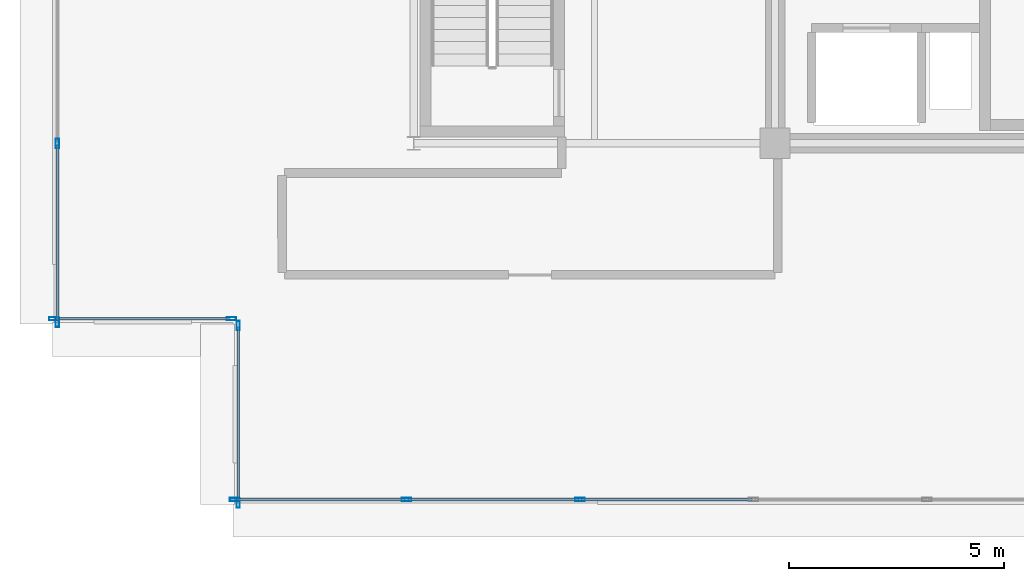
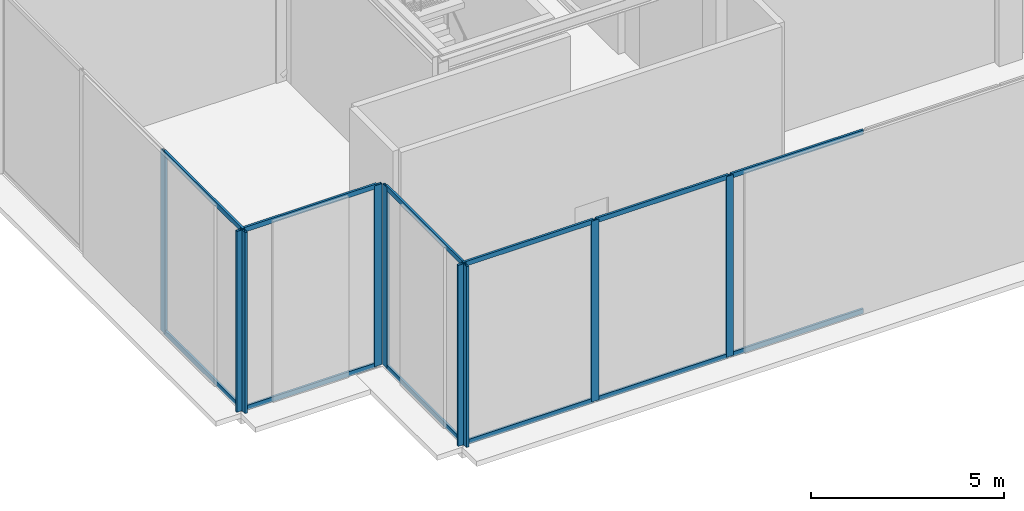
# One storey, part 2 of 19: 21 members, 4 elements without a shape of their own.
"""IFC4 building model written with IfcOpenShell, lengths in metres."""

from ifc_helpers import new_model, si_unit, direction, frame, origin, origin_2d, place, context, subcontext, project, spatial, hollow_rectangle, extrude, material, layer, layer_set, material_profile, profile_set, type_object, element, aggregate, save


model = new_model("IFC4")

# Units and contexts
model_context = context("Model", 3, precision=1e-05, world=origin(), true_north=direction((0.0, 1.0)))
body_context = subcontext(model_context, "Body", "Model", "MODEL_VIEW")
ifc_project = project(units=[si_unit("LENGTHUNIT", "METRE"), si_unit("AREAUNIT", "SQUARE_METRE"), si_unit("VOLUMEUNIT", "CUBIC_METRE"), si_unit("PLANEANGLEUNIT", "RADIAN"), si_unit("MASSUNIT", "GRAM", prefix="KILO")], contexts=[model_context])

# Site, building, storey
site_placement = place(None, origin())
site = spatial("IfcSite", under=ifc_project, at=site_placement, CompositionType="ELEMENT")
building_placement = place(site_placement, origin())
building = spatial("IfcBuilding", under=site, at=building_placement, Name="Nerrivon Quay Data Exchange", CompositionType="ELEMENT")
storey_placement = place(building_placement, frame((0.0, 0.0, 327.0)))
storey = spatial("IfcBuildingStorey", under=building, at=storey_placement, Name="L78", CompositionType="ELEMENT", Elevation=327.0)

# Curtain wall, members
ifc_material = material(Name="Anodised aluminium 6063-T6", Category="aluminium")
ifc_layer = layer(ifc_material, 0.22998046875)
ifc_layer_set = layer_set([ifc_layer], Name="Anodised aluminium 6063-T6")
curtain_wall_type = type_object("IfcCurtainWallType", Name="CW-SYS-05", PredefinedType="NOTDEFINED", material=ifc_layer_set)
curtain_wall_1_placement = place(storey_placement, origin())
curtain_wall_1 = element("IfcCurtainWall", 1, at=curtain_wall_1_placement, inside=storey, type_object=curtain_wall_type, Name="L78 Crown Curtain Wall 5", PredefinedType="NOTDEFINED")
ifc_material_profile_1 = material_profile(ifc_material, hollow_rectangle(XDim=0.074951171875, YDim=0.219970703125, WallThickness=0.00390625, at=origin_2d()), Name="ALU-MULL-220x75")
ifc_profile_set_1 = profile_set([ifc_material_profile_1], Name="Anodised aluminium 6063-T6")
member_type_1 = type_object("IfcMemberType", Name="CWM-220x75", PredefinedType="MULLION", material=ifc_profile_set_1)
member_1_placement = place(storey_placement, frame((12.2666015625, 0.1201171875, 0.0), z_axis=(0.0, 0.0, 1.0), x_axis=(0.0, -1.0, 0.0)))
member_1 = element("IfcMember", 2, at=member_1_placement, type_object=member_type_1, Name="CW05 mullion 5", PredefinedType="MULLION", context=body_context, shape_type="SweptSolid", body=[
    extrude(hollow_rectangle(XDim=0.074951171875, YDim=0.219970703125, WallThickness=0.00390625, at=origin_2d()), origin(), (0.0, 0.0, 1.0), 5.72509765625),
])
member_2_placement = place(storey_placement, frame((8.2333984375, 0.1201171875, 0.0), z_axis=(0.0, 0.0, 1.0), x_axis=(0.0, -1.0, 0.0)))
member_2 = element("IfcMember", 3, at=member_2_placement, type_object=member_type_1, Name="CW05 mullion 6", PredefinedType="MULLION", context=body_context, shape_type="SweptSolid", body=[
    extrude(hollow_rectangle(XDim=0.074951171875, YDim=0.219970703125, WallThickness=0.00390625, at=origin_2d()), origin(), (0.0, 0.0, 1.0), 5.72509765625),
])
member_3_placement = place(storey_placement, frame((4.237548828125, 0.1201171875, 0.0), z_axis=(0.0, 0.0, 1.0), x_axis=(0.0, -1.0, 0.0)))
member_3 = element("IfcMember", 4, at=member_3_placement, type_object=member_type_1, Name="CW05 mullion 7", PredefinedType="MULLION", context=body_context, shape_type="SweptSolid", body=[
    extrude(hollow_rectangle(XDim=0.074951171875, YDim=0.219970703125, WallThickness=0.00390625, at=origin_2d()), origin(), (0.0, 0.0, 1.0), 5.72509765625),
])

curtain_wall_2_placement = place(storey_placement, origin())
curtain_wall_2 = element("IfcCurtainWall", 5, at=curtain_wall_2_placement, inside=storey, type_object=curtain_wall_type, Name="L78 Crown Curtain Wall 6", PredefinedType="NOTDEFINED")
member_4_placement = place(storey_placement, frame((4.320068359375, 0.03759765625, 0.0), z_axis=(0.0, 0.0, 1.0), x_axis=(-1.0, 0.0, 0.0)))
member_4 = element("IfcMember", 6, at=member_4_placement, type_object=member_type_1, Name="CW05 mullion 1", PredefinedType="MULLION", context=body_context, shape_type="SweptSolid", body=[
    extrude(hollow_rectangle(XDim=0.074951171875, YDim=0.219970703125, WallThickness=0.00390625, at=origin_2d()), origin(), (0.0, 0.0, 1.0), 5.72509765625),
])
member_5_placement = place(storey_placement, frame((4.320068359375, 4.16259765625, 0.0), z_axis=(0.0, 0.0, 1.0), x_axis=(-1.0, 0.0, 0.0)))
member_5 = element("IfcMember", 7, at=member_5_placement, type_object=member_type_1, Name="CW05 mullion 2", PredefinedType="MULLION", context=body_context, shape_type="SweptSolid", body=[
    extrude(hollow_rectangle(XDim=0.074951171875, YDim=0.219970703125, WallThickness=0.00390625, at=origin_2d()), origin(), (0.0, 0.0, 1.0), 5.72509765625),
])

curtain_wall_3_placement = place(storey_placement, origin())
curtain_wall_3 = element("IfcCurtainWall", 8, at=curtain_wall_3_placement, inside=storey, type_object=curtain_wall_type, Name="L78 Crown Curtain Wall 7", PredefinedType="NOTDEFINED")
member_6_placement = place(storey_placement, frame((4.16259765625, 4.320068359375, 0.0), z_axis=(0.0, 0.0, 1.0), x_axis=(0.0, -1.0, 0.0)))
member_6 = element("IfcMember", 9, at=member_6_placement, type_object=member_type_1, Name="CW05 mullion 1", PredefinedType="MULLION", context=body_context, shape_type="SweptSolid", body=[
    extrude(hollow_rectangle(XDim=0.074951171875, YDim=0.219970703125, WallThickness=0.00390625, at=origin_2d()), origin(), (0.0, 0.0, 1.0), 5.72509765625),
])
member_7_placement = place(storey_placement, frame((0.03759765625, 4.320068359375, 0.0), z_axis=(0.0, 0.0, 1.0), x_axis=(0.0, -1.0, 0.0)))
member_7 = element("IfcMember", 10, at=member_7_placement, type_object=member_type_1, Name="CW05 mullion 2", PredefinedType="MULLION", context=body_context, shape_type="SweptSolid", body=[
    extrude(hollow_rectangle(XDim=0.074951171875, YDim=0.219970703125, WallThickness=0.00390625, at=origin_2d()), origin(), (0.0, 0.0, 1.0), 5.72509765625),
])

curtain_wall_4_placement = place(storey_placement, origin())
curtain_wall_4 = element("IfcCurtainWall", 11, at=curtain_wall_4_placement, inside=storey, type_object=curtain_wall_type, Name="L78 Crown Curtain Wall 8", PredefinedType="NOTDEFINED")
member_8_placement = place(storey_placement, frame((0.1201171875, 4.237548828125, 0.0), z_axis=(0.0, 0.0, 1.0), x_axis=(-1.0, 0.0, 0.0)))
member_8 = element("IfcMember", 12, at=member_8_placement, type_object=member_type_1, Name="CW05 mullion 1", PredefinedType="MULLION", context=body_context, shape_type="SweptSolid", body=[
    extrude(hollow_rectangle(XDim=0.074951171875, YDim=0.219970703125, WallThickness=0.00390625, at=origin_2d()), origin(), (0.0, 0.0, 1.0), 5.72509765625),
])
member_9_placement = place(storey_placement, frame((0.1201171875, 8.39990234375, 0.0), z_axis=(0.0, 0.0, 1.0), x_axis=(-1.0, 0.0, 0.0)))
member_9 = element("IfcMember", 13, at=member_9_placement, type_object=member_type_1, Name="CW05 mullion 2", PredefinedType="MULLION", context=body_context, shape_type="SweptSolid", body=[
    extrude(hollow_rectangle(XDim=0.074951171875, YDim=0.219970703125, WallThickness=0.00390625, at=origin_2d()), origin(), (0.0, 0.0, 1.0), 5.72509765625),
])

# Member
ifc_material_profile_2 = material_profile(ifc_material, hollow_rectangle(XDim=0.06494140625, YDim=0.14990234375, WallThickness=0.00341796875, at=origin_2d()), Name="ALU-TRAN-150x65")
ifc_profile_set_2 = profile_set([ifc_material_profile_2], Name="Anodised aluminium 6063-T6")
member_type_2 = type_object("IfcMemberType", Name="CWT-150x65", PredefinedType="USERDEFINED", material=ifc_profile_set_2)
member_10_placement = place(storey_placement, frame((16.262451171875, 0.1201171875, 0.032470703125), z_axis=(-1.0, 0.0, 0.0), x_axis=(0.0, -1.0, 0.0)))
member_10 = element("IfcMember", 14, at=member_10_placement, type_object=member_type_2, Name="CW05 transom 4.1", ObjectType="TRANSOM", PredefinedType="USERDEFINED", context=body_context, shape_type="SweptSolid", body=[
    extrude(hollow_rectangle(XDim=0.06494140625, YDim=0.14990234375, WallThickness=0.00341796875, at=origin_2d()), origin(), (0.0, 0.0, 1.0), 3.958251953125),
])

member_11_placement = place(storey_placement, frame((16.262451171875, 0.1201171875, 5.6923828125), z_axis=(-1.0, 0.0, 0.0), x_axis=(0.0, -1.0, 0.0)))
member_11 = element("IfcMember", 15, at=member_11_placement, type_object=member_type_2, Name="CW05 transom 4.2", ObjectType="TRANSOM", PredefinedType="USERDEFINED", context=body_context, shape_type="SweptSolid", body=[
    extrude(hollow_rectangle(XDim=0.06494140625, YDim=0.14990234375, WallThickness=0.00341796875, at=origin_2d()), origin(), (0.0, 0.0, 1.0), 3.958251953125),
])

member_12_placement = place(storey_placement, frame((12.229248046875, 0.1201171875, 0.032470703125), z_axis=(-1.0, 0.0, 0.0), x_axis=(0.0, -1.0, 0.0)))
member_12 = element("IfcMember", 16, at=member_12_placement, type_object=member_type_2, Name="CW05 transom 5.1", ObjectType="TRANSOM", PredefinedType="USERDEFINED", context=body_context, shape_type="SweptSolid", body=[
    extrude(hollow_rectangle(XDim=0.06494140625, YDim=0.14990234375, WallThickness=0.00341796875, at=origin_2d()), origin(), (0.0, 0.0, 1.0), 3.95849609375),
])

member_13_placement = place(storey_placement, frame((12.229248046875, 0.1201171875, 5.6923828125), z_axis=(-1.0, 0.0, 0.0), x_axis=(0.0, -1.0, 0.0)))
member_13 = element("IfcMember", 17, at=member_13_placement, type_object=member_type_2, Name="CW05 transom 5.2", ObjectType="TRANSOM", PredefinedType="USERDEFINED", context=body_context, shape_type="SweptSolid", body=[
    extrude(hollow_rectangle(XDim=0.06494140625, YDim=0.14990234375, WallThickness=0.00341796875, at=origin_2d()), origin(), (0.0, 0.0, 1.0), 3.95849609375),
])

member_14_placement = place(storey_placement, frame((8.19580078125, 0.1201171875, 0.032470703125), z_axis=(-1.0, 0.0, 0.0), x_axis=(0.0, -1.0, 0.0)))
member_14 = element("IfcMember", 18, at=member_14_placement, type_object=member_type_2, Name="CW05 transom 6.1", ObjectType="TRANSOM", PredefinedType="USERDEFINED", context=body_context, shape_type="SweptSolid", body=[
    extrude(hollow_rectangle(XDim=0.06494140625, YDim=0.14990234375, WallThickness=0.00341796875, at=origin_2d()), origin(), (0.0, 0.0, 1.0), 3.9208984375),
])

member_15_placement = place(storey_placement, frame((8.19580078125, 0.1201171875, 5.6923828125), z_axis=(-1.0, 0.0, 0.0), x_axis=(0.0, -1.0, 0.0)))
member_15 = element("IfcMember", 19, at=member_15_placement, type_object=member_type_2, Name="CW05 transom 6.2", ObjectType="TRANSOM", PredefinedType="USERDEFINED", context=body_context, shape_type="SweptSolid", body=[
    extrude(hollow_rectangle(XDim=0.06494140625, YDim=0.14990234375, WallThickness=0.00341796875, at=origin_2d()), origin(), (0.0, 0.0, 1.0), 3.9208984375),
])

aggregate(curtain_wall_1, [member_1, member_2, member_3, member_10, member_11, member_12, member_13, member_14, member_15])

member_16_placement = place(storey_placement, frame((4.320068359375, 0.074951171875, 0.032470703125), z_axis=(0.0, 1.0, 0.0), x_axis=(-1.0, 0.0, 0.0)))
member_16 = element("IfcMember", 20, at=member_16_placement, type_object=member_type_2, Name="CW05 transom 1.1", ObjectType="TRANSOM", PredefinedType="USERDEFINED", context=body_context, shape_type="SweptSolid", body=[
    extrude(hollow_rectangle(XDim=0.06494140625, YDim=0.14990234375, WallThickness=0.00341796875, at=origin_2d()), origin(), (0.0, 0.0, 1.0), 4.050048828125),
])

member_17_placement = place(storey_placement, frame((4.320068359375, 0.074951171875, 5.6923828125), z_axis=(0.0, 1.0, 0.0), x_axis=(-1.0, 0.0, 0.0)))
member_17 = element("IfcMember", 21, at=member_17_placement, type_object=member_type_2, Name="CW05 transom 1.2", ObjectType="TRANSOM", PredefinedType="USERDEFINED", context=body_context, shape_type="SweptSolid", body=[
    extrude(hollow_rectangle(XDim=0.06494140625, YDim=0.14990234375, WallThickness=0.00341796875, at=origin_2d()), origin(), (0.0, 0.0, 1.0), 4.050048828125),
])

aggregate(curtain_wall_2, [member_4, member_5, member_16, member_17])

member_18_placement = place(storey_placement, frame((4.125, 4.320068359375, 0.032470703125), z_axis=(-1.0, 0.0, 0.0), x_axis=(0.0, -1.0, 0.0)))
member_18 = element("IfcMember", 22, at=member_18_placement, type_object=member_type_2, Name="CW05 transom 1.1", ObjectType="TRANSOM", PredefinedType="USERDEFINED", context=body_context, shape_type="SweptSolid", body=[
    extrude(hollow_rectangle(XDim=0.06494140625, YDim=0.14990234375, WallThickness=0.00341796875, at=origin_2d()), origin(), (0.0, 0.0, 1.0), 4.050048828125),
])

member_19_placement = place(storey_placement, frame((4.125, 4.320068359375, 5.6923828125), z_axis=(-1.0, 0.0, 0.0), x_axis=(0.0, -1.0, 0.0)))
member_19 = element("IfcMember", 23, at=member_19_placement, type_object=member_type_2, Name="CW05 transom 1.2", ObjectType="TRANSOM", PredefinedType="USERDEFINED", context=body_context, shape_type="SweptSolid", body=[
    extrude(hollow_rectangle(XDim=0.06494140625, YDim=0.14990234375, WallThickness=0.00341796875, at=origin_2d()), origin(), (0.0, 0.0, 1.0), 4.050048828125),
])

aggregate(curtain_wall_3, [member_6, member_7, member_18, member_19])

member_20_placement = place(storey_placement, frame((0.1201171875, 4.27490234375, 0.032470703125), z_axis=(0.0, 1.0, 0.0), x_axis=(-1.0, 0.0, 0.0)))
member_20 = element("IfcMember", 24, at=member_20_placement, type_object=member_type_2, Name="CW05 transom 1.1", ObjectType="TRANSOM", PredefinedType="USERDEFINED", context=body_context, shape_type="SweptSolid", body=[
    extrude(hollow_rectangle(XDim=0.06494140625, YDim=0.14990234375, WallThickness=0.00341796875, at=origin_2d()), origin(), (0.0, 0.0, 1.0), 4.087646484375),
])

member_21_placement = place(storey_placement, frame((0.1201171875, 4.27490234375, 5.6923828125), z_axis=(0.0, 1.0, 0.0), x_axis=(-1.0, 0.0, 0.0)))
member_21 = element("IfcMember", 25, at=member_21_placement, type_object=member_type_2, Name="CW05 transom 1.2", ObjectType="TRANSOM", PredefinedType="USERDEFINED", context=body_context, shape_type="SweptSolid", body=[
    extrude(hollow_rectangle(XDim=0.06494140625, YDim=0.14990234375, WallThickness=0.00341796875, at=origin_2d()), origin(), (0.0, 0.0, 1.0), 4.087646484375),
])

aggregate(curtain_wall_4, [member_8, member_9, member_20, member_21])

save(model, "model.ifc")
